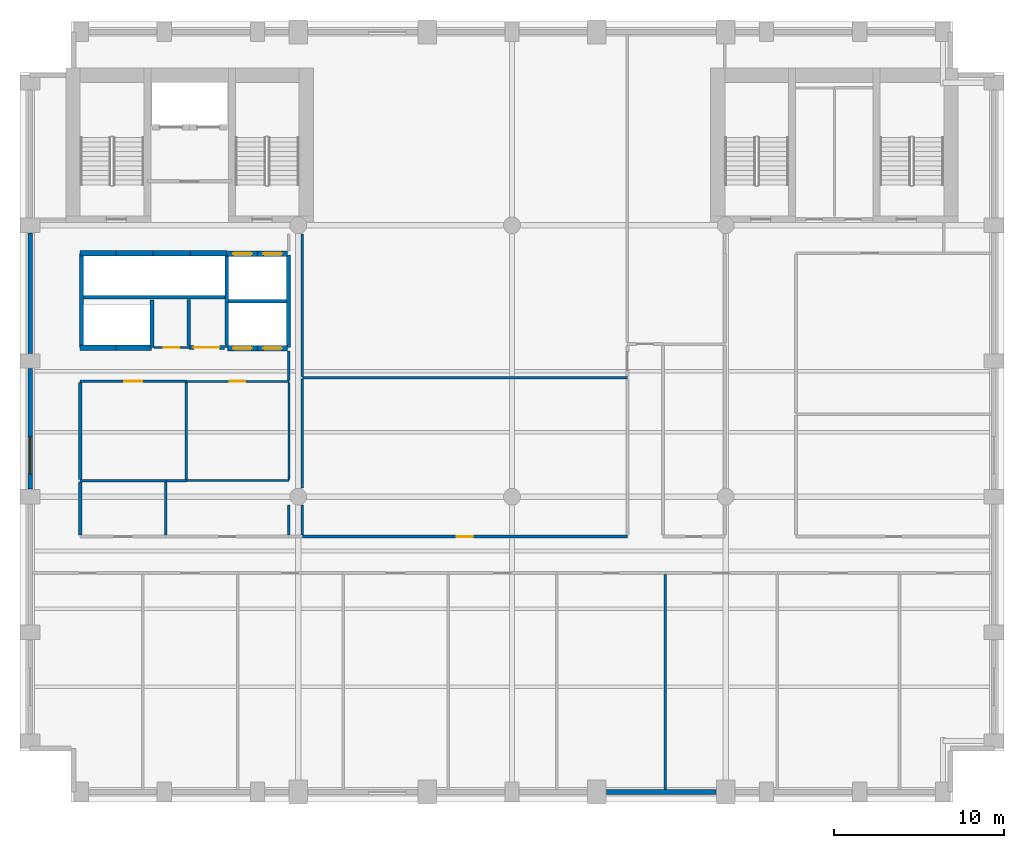
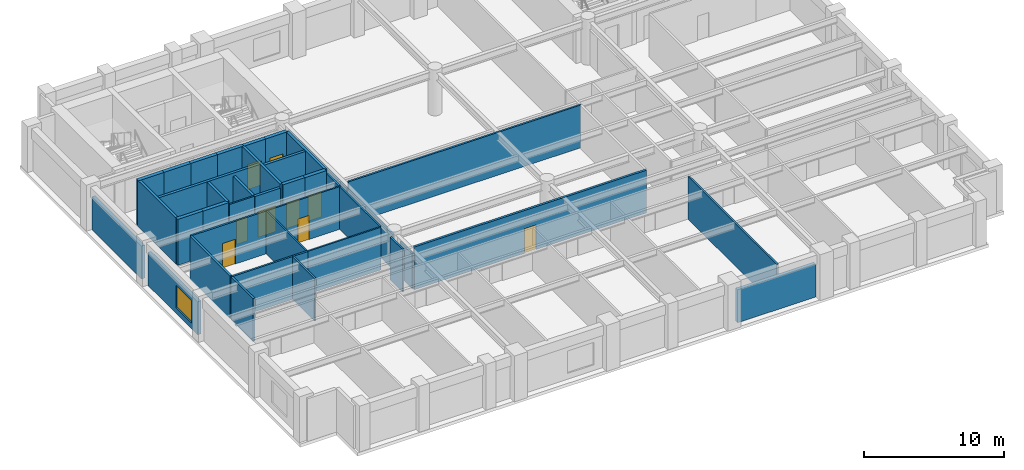
# One storey, part 3 of 8: 40 walls, 9 doors, 1 window, 10 openings.
"""IFC4 building model written with IfcOpenShell, lengths in metres."""

import ifcopenshell
import ifcopenshell.guid

model = None  # the IFC model being written
_history = None  # IfcOwnerHistory: only IFC2X3 demands one
_inside = {}  # id of a spatial element -> (the spatial element, [elements in it])
_under = {}  # id of a project, library or spatial element -> (it, [spatial elements below it])
_declared = {}  # id of a project -> (the project, [libraries it declares])
_typed = {}  # id of a type object -> (the type object, [elements of that type])
_made_of = {}  # id of a material, layer set ... -> (it, [elements and type objects made of it])


def new_model(schema):
    """Start an empty IFC model of exactly this schema.

    Asked for "IFC4X3", IfcOpenShell would pick the latest addendum, in which some entities
    have other attributes; the version numbers below select the first issue.
    IFC2X3 requires an IfcOwnerHistory on every rooted entity: one is made here for all.
    """
    global model, _history
    if schema == "IFC4X3":
        model = ifcopenshell.file(schema_version=(4, 3, 0, 0))
    else:
        model = ifcopenshell.file(schema=schema)
    _inside.clear()
    _under.clear()
    _declared.clear()
    _typed.clear()
    _made_of.clear()
    _history = None
    if model.schema == "IFC2X3":
        org = make("IfcOrganization", Name="unknown")
        user = make(
            "IfcPersonAndOrganization",
            ThePerson=make("IfcPerson", FamilyName="unknown"),
            TheOrganization=org,
        )
        app = make(
            "IfcApplication",
            ApplicationDeveloper=org,
            Version="unknown",
            ApplicationFullName="unknown",
            ApplicationIdentifier="unknown",
        )
        _history = make(
            "IfcOwnerHistory",
            OwningUser=user,
            OwningApplication=app,
            ChangeAction="ADDED",
            CreationDate=0,
        )
    return model


def make(cls, **values):
    """One entity of the class cls with the attributes given. An attribute that is None is left unset."""
    return model.create_entity(
        cls, **{name: value for name, value in values.items() if value is not None}
    )


def rooted(cls, **values):
    """An entity with a GlobalId (a new one), such as an element, a storey or a relation."""
    return make(cls, GlobalId=ifcopenshell.guid.new(), OwnerHistory=_history, **values)


def si_unit(unit_type, name, prefix=None):
    """IfcSIUnit, for example si_unit("LENGTHUNIT", "METRE", prefix="MILLI")."""
    return make("IfcSIUnit", UnitType=unit_type, Prefix=prefix, Name=name)


def assignment(units):
    """IfcUnitAssignment: the units of a project."""
    return None if units is None else make("IfcUnitAssignment", Units=units)


def point(xyz):
    """IfcCartesianPoint."""
    return None if xyz is None else make("IfcCartesianPoint", Coordinates=xyz)


def direction(xyz):
    """IfcDirection."""
    return None if xyz is None else make("IfcDirection", DirectionRatios=xyz)


def frame(location, z_axis=None, x_axis=None):
    """IfcAxis2Placement3D, a coordinate frame: its origin and axes. An axis left out is left unset."""
    return make(
        "IfcAxis2Placement3D",
        Location=point(location),
        Axis=direction(z_axis),
        RefDirection=direction(x_axis),
    )


def frame_2d(location, x_axis=None):
    """IfcAxis2Placement2D, a coordinate frame in the plane: its origin and x axis."""
    return make(
        "IfcAxis2Placement2D", Location=point(location), RefDirection=direction(x_axis)
    )


def origin():
    """The frame at (0, 0, 0) with its axes left unset."""
    return frame((0.0, 0.0, 0.0))


def place(relative_to, where):
    """IfcLocalPlacement: puts the frame where relative to a parent placement (None: the world)."""
    return make(
        "IfcLocalPlacement", PlacementRelTo=relative_to, RelativePlacement=where
    )


def context(
    kind, dimensions, precision=None, world=None, true_north=None, identifier=None
):
    """IfcGeometricRepresentationContext, for example the 3D "Model" context."""
    return make(
        "IfcGeometricRepresentationContext",
        ContextIdentifier=identifier,
        ContextType=kind,
        CoordinateSpaceDimension=dimensions,
        Precision=precision,
        WorldCoordinateSystem=world,
        TrueNorth=true_north,
    )


def subcontext(parent, identifier, kind, view, scale=None):
    """IfcGeometricRepresentationSubContext, for example "Body" below "Model"."""
    return make(
        "IfcGeometricRepresentationSubContext",
        ContextIdentifier=identifier,
        ContextType=kind,
        ParentContext=parent,
        TargetScale=scale,
        TargetView=view,
    )


def project(units=None, contexts=None):
    """IfcProject with its units and contexts."""
    return rooted(
        "IfcProject",
        Name="project",
        RepresentationContexts=contexts,
        UnitsInContext=assignment(units),
    )


def spatial(cls, under=None, at=None, **own):
    """A site, building, storey or space (cls), placed at a placement, below another one or the project."""
    s = rooted(cls, ObjectPlacement=at, **own)
    if under is not None:
        _under.setdefault(under.id(), (under, []))[1].append(s)
    return s


def profile(cls, at=None, kind="AREA", **sizes):
    """A parametric profile (cls). Its sizes go by their IFC names, for example OverallWidth=200.0."""
    return make(cls, ProfileType=kind, Position=at, **sizes)


def rectangle(**sizes):
    """IfcRectangleProfileDef."""
    return profile("IfcRectangleProfileDef", **sizes)


def extrude(swept, where, along, depth):
    """IfcExtrudedAreaSolid: the profile swept, set in the frame where, extruded along a direction by depth."""
    return make(
        "IfcExtrudedAreaSolid",
        SweptArea=swept,
        Position=where,
        ExtrudedDirection=direction(along),
        Depth=depth,
    )


def shape(context_of_items, identifier, shape_type, items):
    """IfcShapeRepresentation: the items that make up one representation, for example the "Body"."""
    return make(
        "IfcShapeRepresentation",
        ContextOfItems=context_of_items,
        RepresentationIdentifier=identifier,
        RepresentationType=shape_type,
        Items=items,
    )


def material(Name=None, Category=None):
    """IfcMaterial."""
    return make("IfcMaterial", Name=Name, Category=Category)


def layer(
    of_material, thickness, ventilated=None, Name=None, Category=None, Priority=None
):
    """IfcMaterialLayer: one layer of a wall or slab, of a material (None: an air gap)."""
    return make(
        "IfcMaterialLayer",
        Material=of_material,
        LayerThickness=thickness,
        IsVentilated=ventilated,
        Name=Name,
        Category=Category,
        Priority=Priority,
    )


def layer_set(layers, Name=None):
    """IfcMaterialLayerSet."""
    return make("IfcMaterialLayerSet", MaterialLayers=layers, LayerSetName=Name)


def made_of(thing, what):
    """Note that an element or type object is made of a material, layer set ...; save() writes the relation."""
    if what is not None:
        _made_of.setdefault(what.id(), (what, []))[1].append(thing)
    return thing


def type_object(cls, material=None, **own):
    """A type object (cls), such as IfcWallType, which elements share."""
    return made_of(rooted(cls, **own), material)


def element(
    cls,
    number,
    at=None,
    inside=None,
    cuts=None,
    type_object=None,
    material=None,
    context=None,
    identifier="Body",
    shape_type=None,
    held_by="IfcProductDefinitionShape",
    body=None,
    shapes=None,
    **own,
):
    """One element of the class cls, such as IfcWall. Its Tag is "e" and its number.

    at: its placement. inside: the storey or other place that contains it. cuts: it is an
    opening in that element (IfcRelVoidsElement). A single representation is given by context,
    identifier, shape_type and body (its items); several are given by shapes. held_by: the class
    of the entity that holds the representations. save() writes the other relations.
    """
    e = rooted(cls, Tag="e%d" % number, ObjectPlacement=at, **own)
    if body is not None:
        shapes = [shape(context, identifier, shape_type, body)]
    if shapes is not None:
        e.Representation = make(held_by, Representations=shapes)
    if inside is not None:
        _inside.setdefault(inside.id(), (inside, []))[1].append(e)
    if cuts is not None:
        rooted(
            "IfcRelVoidsElement", RelatingBuildingElement=cuts, RelatedOpeningElement=e
        )
    if type_object is not None:
        _typed.setdefault(type_object.id(), (type_object, []))[1].append(e)
    return made_of(e, material)


def fill(opening, filler):
    """IfcRelFillsElement: the door or window that sits in an opening."""
    return rooted(
        "IfcRelFillsElement",
        RelatingOpeningElement=opening,
        RelatedBuildingElement=filler,
    )


def aggregate(whole, parts):
    """IfcRelAggregates: a whole, such as a stair, and the parts it consists of."""
    return rooted("IfcRelAggregates", RelatingObject=whole, RelatedObjects=parts)


def save(model, path):
    """Write the relations noted so far, then the file.

    IfcRelAggregates (storeys below a building ...), IfcRelContainedInSpatialStructure (elements
    in a storey), IfcRelDefinesByType, IfcRelAssociatesMaterial and IfcRelDeclares: one each for
    every whole, place, type object, material and project.
    """
    for whole, parts in _under.values():
        aggregate(whole, parts)
    for where, things in _inside.values():
        rooted(
            "IfcRelContainedInSpatialStructure",
            RelatedElements=things,
            RelatingStructure=where,
        )
    for kind, things in _typed.values():
        rooted("IfcRelDefinesByType", RelatedObjects=things, RelatingType=kind)
    for what, things in _made_of.values():
        rooted("IfcRelAssociatesMaterial", RelatedObjects=things, RelatingMaterial=what)
    for by, libraries in _declared.values():
        rooted("IfcRelDeclares", RelatingContext=by, RelatedDefinitions=libraries)
    model.write(path)


model = new_model("IFC4")

# Units and contexts
model_context = context("Model", 3, precision=1e-05, world=origin(), true_north=direction((0.0, 1.0)))
body_context = subcontext(model_context, "Body", "Model", "MODEL_VIEW")
ifc_project = project(units=[si_unit("LENGTHUNIT", "METRE"), si_unit("AREAUNIT", "SQUARE_METRE"), si_unit("VOLUMEUNIT", "CUBIC_METRE"), si_unit("PLANEANGLEUNIT", "RADIAN"), si_unit("MASSUNIT", "GRAM", prefix="KILO")], contexts=[model_context])

# Site, building, storey
site_placement = place(None, origin())
site = spatial("IfcSite", under=ifc_project, at=site_placement, CompositionType="ELEMENT")
building_placement = place(site_placement, origin())
building = spatial("IfcBuilding", under=site, at=building_placement, Name="Sulina Concourse Tower", CompositionType="ELEMENT")
storey_placement = place(building_placement, frame((0.0, 0.0, 148.60009765625)))
storey = spatial("IfcBuildingStorey", under=building, at=storey_placement, Name="L36", CompositionType="ELEMENT", Elevation=148.60009765625)

# Walls
ifc_material_1 = material(Name="Concrete C50/60", Category="concrete")
ifc_layer_1 = layer(ifc_material_1, 0.219970703125)
ifc_layer_set_1 = layer_set([ifc_layer_1], Name="Concrete C50/60")
wall_type_1 = type_object("IfcWallType", Name="Core Lift Hoistway Divider Wall 220mm", PredefinedType="SOLIDWALL", material=ifc_layer_set_1)
wall_1_placement = place(storey_placement, frame((3.550048828125, 29.75, 0.0), z_axis=(0.0, 0.0, 1.0), x_axis=(1.0, 0.0, 0.0)))
element("IfcWall", 1, at=wall_1_placement, inside=storey, type_object=wall_type_1, Name="L36 shaft divider wall HW-LP3-S", PredefinedType="SOLIDWALL", context=body_context, shape_type="SweptSolid", body=[
    extrude(rectangle(XDim=8.64990234375, YDim=0.219970703125, at=frame_2d((4.324951171875, 0.0))), origin(), (0.0, 0.0, 1.0), 4.0),
])
wall_2_placement = place(storey_placement, frame((3.6298828125, 26.800048828125, 0.0), z_axis=(0.0, 0.0, 1.0), x_axis=(0.0, 1.0, 0.0)))
element("IfcWall", 2, at=wall_2_placement, inside=storey, type_object=wall_type_1, Name="L36 shaft divider wall HW-LP3-W", PredefinedType="SOLIDWALL", context=body_context, shape_type="SweptSolid", body=[
    extrude(rectangle(XDim=5.550048828125, YDim=0.219970703125, at=frame_2d((2.77490234375, 0.0))), origin(), (0.0, 0.0, 1.0), 4.0),
])
wall_3_placement = place(storey_placement, frame((7.780029296875, 26.800048828125, 0.0), z_axis=(0.0, 0.0, 1.0), x_axis=(0.0, 1.0, 0.0)))
element("IfcWall", 3, at=wall_3_placement, inside=storey, type_object=wall_type_1, Name="L36 shaft divider wall HW-EXP-E", PredefinedType="SOLIDWALL", context=body_context, shape_type="SweptSolid", body=[
    extrude(rectangle(XDim=2.800048828125, YDim=0.219970703125, at=frame_2d((1.39990234375, 0.0))), origin(), (0.0, 0.0, 1.0), 4.0),
])
for number, where, z_axis, x_axis, name in (
    (4, (12.179931640625, 26.800048828125, 0.0), (0.0, 0.0, 1.0), (0.0, 1.0, 0.0), "L36 shaft divider wall HW-LP2-W"),
    (5, (15.820068359375, 26.800048828125, 0.0), (0.0, 0.0, 1.0), (0.0, 1.0, 0.0), "L36 shaft divider wall HW-LP2-E"),
):
    element("IfcWall", number, at=place(storey_placement, frame(where, z_axis=z_axis, x_axis=x_axis)), inside=storey, type_object=wall_type_1, Name=name, PredefinedType="SOLIDWALL", context=body_context, shape_type="SweptSolid", body=[
        extrude(rectangle(XDim=5.449951171875, YDim=0.219970703125, at=frame_2d((2.72509765625, 0.0))), origin(), (0.0, 0.0, 1.0), 4.0),
    ])
wall_4_placement = place(storey_placement, frame((12.300048828125, 29.52001953125, 0.0), z_axis=(0.0, 0.0, 1.0), x_axis=(1.0, 0.0, 0.0)))
element("IfcWall", 6, at=wall_4_placement, inside=storey, type_object=wall_type_1, Name="L36 shaft divider wall HW-LP2-M", PredefinedType="SOLIDWALL", context=body_context, shape_type="SweptSolid", body=[
    extrude(rectangle(XDim=3.39990234375, YDim=0.219970703125, at=frame_2d((1.699951171875, 0.0))), origin(), (0.0, 0.0, 1.0), 4.0),
])

# Wall, opening, door
ifc_material_2 = material(Name="Concrete C50/60", Category="concrete")
ifc_layer_2 = layer(ifc_material_2, 0.300048828125)
ifc_layer_set_2 = layer_set([ifc_layer_2], Name="Concrete C50/60")
wall_type_2 = type_object("IfcWallType", Name="Core Lift Hoistway Wall 300mm", PredefinedType="SOLIDWALL", material=ifc_layer_set_2)
wall_5_placement = place(storey_placement, frame((14.0, 26.75, 0.0), z_axis=(0.0, 0.0, 1.0), x_axis=(-1.0, 0.0, 0.0)))
wall_5 = element("IfcWall", 7, at=wall_5_placement, inside=storey, type_object=wall_type_2, Name="L36 hoistway enclosure wall LP-05", PredefinedType="SOLIDWALL", context=body_context, shape_type="SweptSolid", body=[
    extrude(rectangle(XDim=1.780029296875, YDim=0.300048828125, at=frame_2d((0.89013671875, 0.0))), origin(), (0.0, 0.0, 1.0), 4.0),
])
opening_1_placement = place(wall_5_placement, frame((0.340087890625, 0.0, 0.0)))
opening_1 = element("IfcOpeningElement", 8, at=opening_1_placement, cuts=wall_5, Name="Opening LD-01", PredefinedType="OPENING", context=body_context, shape_type="SweptSolid", body=[
    extrude(rectangle(XDim=1.10009765625, YDim=2.199951171875, at=frame_2d((0.550048828125, 1.10009765625))), frame((0.0, 0.159912109375, 0.0), z_axis=(0.0, -1.0, 0.0), x_axis=(1.0, 0.0, 0.0)), (0.0, 0.0, 1.0), 0.320068359375),
])
ifc_material_3 = material(Name="Stainless steel lift landing door", Category="steel")
ifc_layer_3 = layer(ifc_material_3, 0.050048828125)
ifc_layer_set_3 = layer_set([ifc_layer_3], Name="Stainless steel lift landing door")
door_type_1 = type_object("IfcDoorType", Name="Passenger Lift Sliding Landing Door 1100x2200", OperationType="SLIDING_TO_LEFT", PredefinedType="DOOR", material=ifc_layer_set_3)
door_1_placement = place(opening_1_placement, origin())
door_1 = element("IfcDoor", 9, at=door_1_placement, inside=storey, type_object=door_type_1, Name="L36 lift landing sliding door LP-05", OperationType="SLIDING_TO_LEFT", OverallHeight=2.199951171875, OverallWidth=1.10009765625, PredefinedType="DOOR", context=body_context, shape_type="SweptSolid", body=[
    extrude(rectangle(XDim=1.10009765625, YDim=2.199951171875, at=frame_2d((0.550048828125, 1.10009765625))), frame((0.0, 0.02490234375, 0.0), z_axis=(0.0, -1.0, 0.0), x_axis=(1.0, 0.0, 0.0)), (0.0, 0.0, 1.0), 0.050048828125),
])
fill(opening_1, door_1)

wall_6_placement = place(storey_placement, frame((15.780029296875, 26.75, 0.0), z_axis=(0.0, 0.0, 1.0), x_axis=(-1.0, 0.0, 0.0)))
wall_6 = element("IfcWall", 10, at=wall_6_placement, inside=storey, type_object=wall_type_2, Name="L36 hoistway enclosure wall LP-06", PredefinedType="SOLIDWALL", context=body_context, shape_type="SweptSolid", body=[
    extrude(rectangle(XDim=1.780029296875, YDim=0.300048828125, at=frame_2d((0.89013671875, 0.0))), origin(), (0.0, 0.0, 1.0), 4.0),
])
opening_2_placement = place(wall_6_placement, frame((0.340087890625, 0.0, 0.0)))
opening_2 = element("IfcOpeningElement", 11, at=opening_2_placement, cuts=wall_6, Name="Opening LD-01", PredefinedType="OPENING", context=body_context, shape_type="SweptSolid", body=[
    extrude(rectangle(XDim=1.10009765625, YDim=2.199951171875, at=frame_2d((0.550048828125, 1.10009765625))), frame((0.0, 0.159912109375, 0.0), z_axis=(0.0, -1.0, 0.0), x_axis=(1.0, 0.0, 0.0)), (0.0, 0.0, 1.0), 0.320068359375),
])
door_2_placement = place(opening_2_placement, origin())
door_2 = element("IfcDoor", 12, at=door_2_placement, inside=storey, type_object=door_type_1, Name="L36 lift landing sliding door LP-06", OperationType="SLIDING_TO_RIGHT", OverallHeight=2.199951171875, OverallWidth=1.10009765625, PredefinedType="DOOR", context=body_context, shape_type="SweptSolid", body=[
    extrude(rectangle(XDim=1.10009765625, YDim=2.199951171875, at=frame_2d((0.550048828125, 1.10009765625))), frame((0.0, 0.02490234375, 0.0), z_axis=(0.0, -1.0, 0.0), x_axis=(1.0, 0.0, 0.0)), (0.0, 0.0, 1.0), 0.050048828125),
])
fill(opening_2, door_2)

wall_7_placement = place(storey_placement, frame((12.219970703125, 32.320068359375, 0.0), z_axis=(0.0, 0.0, 1.0), x_axis=(1.0, 0.0, 0.0)))
wall_7 = element("IfcWall", 13, at=wall_7_placement, inside=storey, type_object=wall_type_2, Name="L36 hoistway enclosure wall LP-07", PredefinedType="SOLIDWALL", context=body_context, shape_type="SweptSolid", body=[
    extrude(rectangle(XDim=1.780029296875, YDim=0.300048828125, at=frame_2d((0.89013671875, 0.0))), origin(), (0.0, 0.0, 1.0), 4.0),
])
opening_3_placement = place(wall_7_placement, frame((0.340087890625, 0.0, 0.0)))
opening_3 = element("IfcOpeningElement", 14, at=opening_3_placement, cuts=wall_7, Name="Opening LD-01", PredefinedType="OPENING", context=body_context, shape_type="SweptSolid", body=[
    extrude(rectangle(XDim=1.10009765625, YDim=2.199951171875, at=frame_2d((0.550048828125, 1.10009765625))), frame((0.0, 0.159912109375, 0.0), z_axis=(0.0, -1.0, 0.0), x_axis=(1.0, 0.0, 0.0)), (0.0, 0.0, 1.0), 0.320068359375),
])
door_3_placement = place(opening_3_placement, origin())
door_3 = element("IfcDoor", 15, at=door_3_placement, inside=storey, type_object=door_type_1, Name="L36 lift landing sliding door LP-07", OperationType="SLIDING_TO_LEFT", OverallHeight=2.199951171875, OverallWidth=1.10009765625, PredefinedType="DOOR", context=body_context, shape_type="SweptSolid", body=[
    extrude(rectangle(XDim=1.10009765625, YDim=2.199951171875, at=frame_2d((0.550048828125, 1.10009765625))), frame((0.0, 0.02490234375, 0.0), z_axis=(0.0, -1.0, 0.0), x_axis=(1.0, 0.0, 0.0)), (0.0, 0.0, 1.0), 0.050048828125),
])
fill(opening_3, door_3)

wall_8_placement = place(storey_placement, frame((14.0, 32.320068359375, 0.0), z_axis=(0.0, 0.0, 1.0), x_axis=(1.0, 0.0, 0.0)))
wall_8 = element("IfcWall", 16, at=wall_8_placement, inside=storey, type_object=wall_type_2, Name="L36 hoistway enclosure wall LP-08", PredefinedType="SOLIDWALL", context=body_context, shape_type="SweptSolid", body=[
    extrude(rectangle(XDim=1.780029296875, YDim=0.300048828125, at=frame_2d((0.89013671875, 0.0))), origin(), (0.0, 0.0, 1.0), 4.0),
])
opening_4_placement = place(wall_8_placement, frame((0.340087890625, 0.0, 0.0)))
opening_4 = element("IfcOpeningElement", 17, at=opening_4_placement, cuts=wall_8, Name="Opening LD-01", PredefinedType="OPENING", context=body_context, shape_type="SweptSolid", body=[
    extrude(rectangle(XDim=1.10009765625, YDim=2.199951171875, at=frame_2d((0.550048828125, 1.10009765625))), frame((0.0, 0.159912109375, 0.0), z_axis=(0.0, -1.0, 0.0), x_axis=(1.0, 0.0, 0.0)), (0.0, 0.0, 1.0), 0.320068359375),
])
door_4_placement = place(opening_4_placement, origin())
door_4 = element("IfcDoor", 18, at=door_4_placement, inside=storey, type_object=door_type_1, Name="L36 lift landing sliding door LP-08", OperationType="SLIDING_TO_RIGHT", OverallHeight=2.199951171875, OverallWidth=1.10009765625, PredefinedType="DOOR", context=body_context, shape_type="SweptSolid", body=[
    extrude(rectangle(XDim=1.10009765625, YDim=2.199951171875, at=frame_2d((0.550048828125, 1.10009765625))), frame((0.0, 0.02490234375, 0.0), z_axis=(0.0, -1.0, 0.0), x_axis=(1.0, 0.0, 0.0)), (0.0, 0.0, 1.0), 0.050048828125),
])
fill(opening_4, door_4)

# Walls
wall_9_placement = place(storey_placement, frame((3.550048828125, 32.35009765625, 0.0), z_axis=(0.0, 0.0, 1.0), x_axis=(1.0, 0.0, 0.0)))
element("IfcWall", 19, at=wall_9_placement, inside=storey, type_object=wall_type_2, Name="L36 hoistway enclosure wall LP-09", PredefinedType="SOLIDWALL", context=body_context, shape_type="SweptSolid", body=[
    extrude(rectangle(XDim=2.099853515625, YDim=0.300048828125, at=frame_2d((1.0498046875, 0.0))), origin(), (0.0, 0.0, 1.0), 4.0),
])
wall_10_placement = place(storey_placement, frame((5.64990234375, 32.35009765625, 0.0), z_axis=(0.0, 0.0, 1.0), x_axis=(1.0, 0.0, 0.0)))
element("IfcWall", 20, at=wall_10_placement, inside=storey, type_object=wall_type_2, Name="L36 hoistway enclosure wall LP-10", PredefinedType="SOLIDWALL", context=body_context, shape_type="SweptSolid", body=[
    extrude(rectangle(XDim=2.2001953125, YDim=0.300048828125, at=frame_2d((1.10009765625, 0.0))), origin(), (0.0, 0.0, 1.0), 4.0),
])
wall_11_placement = place(storey_placement, frame((7.85009765625, 32.35009765625, 0.0), z_axis=(0.0, 0.0, 1.0), x_axis=(1.0, 0.0, 0.0)))
element("IfcWall", 21, at=wall_11_placement, inside=storey, type_object=wall_type_2, Name="L36 hoistway enclosure wall LP-11", PredefinedType="SOLIDWALL", context=body_context, shape_type="SweptSolid", body=[
    extrude(rectangle(XDim=2.199951171875, YDim=0.300048828125, at=frame_2d((1.10009765625, 0.0))), origin(), (0.0, 0.0, 1.0), 4.0),
])
wall_12_placement = place(storey_placement, frame((10.050048828125, 32.35009765625, 0.0), z_axis=(0.0, 0.0, 1.0), x_axis=(1.0, 0.0, 0.0)))
element("IfcWall", 22, at=wall_12_placement, inside=storey, type_object=wall_type_2, Name="L36 hoistway enclosure wall LP-12", PredefinedType="SOLIDWALL", context=body_context, shape_type="SweptSolid", body=[
    extrude(rectangle(XDim=2.14990234375, YDim=0.300048828125, at=frame_2d((1.074951171875, 0.0))), origin(), (0.0, 0.0, 1.0), 4.0),
])
wall_13_placement = place(storey_placement, frame((5.64990234375, 26.780029296875, 0.0), z_axis=(0.0, 0.0, 1.0), x_axis=(-1.0, 0.0, 0.0)))
element("IfcWall", 23, at=wall_13_placement, inside=storey, type_object=wall_type_2, Name="L36 hoistway enclosure wall EXP-1", PredefinedType="SOLIDWALL", context=body_context, shape_type="SweptSolid", body=[
    extrude(rectangle(XDim=2.099853515625, YDim=0.300048828125, at=frame_2d((1.0498046875, 0.0))), origin(), (0.0, 0.0, 1.0), 4.0),
])
wall_14_placement = place(storey_placement, frame((7.75, 26.780029296875, 0.0), z_axis=(0.0, 0.0, 1.0), x_axis=(-1.0, 0.0, 0.0)))
element("IfcWall", 24, at=wall_14_placement, inside=storey, type_object=wall_type_2, Name="L36 hoistway enclosure wall EXP-2", PredefinedType="SOLIDWALL", context=body_context, shape_type="SweptSolid", body=[
    extrude(rectangle(XDim=2.10009765625, YDim=0.300048828125, at=frame_2d((1.050048828125, 0.0))), origin(), (0.0, 0.0, 1.0), 4.0),
])

# Wall, opening, door
ifc_material_4 = material(Name="Gypsum board on steel stud", Category="steel")
ifc_layer_4 = layer(ifc_material_4, 0.219970703125)
ifc_layer_set_4 = layer_set([ifc_layer_4], Name="Gypsum board on steel stud")
wall_type_3 = type_object("IfcWallType", Name="Fire-Rated Lobby & Compartment Wall 220mm", PredefinedType="PARTITIONING", material=ifc_layer_set_4)
wall_15_placement = place(storey_placement, frame((9.949951171875, 26.800048828125, 0.0), z_axis=(0.0, 0.0, 1.0), x_axis=(1.0, 0.0, 0.0)))
wall_15 = element("IfcWall", 25, at=wall_15_placement, inside=storey, type_object=wall_type_3, Name="L36 interior partition 024", PredefinedType="PARTITIONING", context=body_context, shape_type="SweptSolid", body=[
    extrude(rectangle(XDim=2.10009765625, YDim=0.219970703125, at=frame_2d((1.050048828125, 0.0))), origin(), (0.0, 0.0, 1.0), 3.724853515625),
])
opening_5_placement = place(wall_15_placement, frame((0.300048828125, 0.0, 0.0)))
opening_5 = element("IfcOpeningElement", 26, at=opening_5_placement, cuts=wall_15, Name="Opening DR-80", PredefinedType="OPENING", context=body_context, shape_type="SweptSolid", body=[
    extrude(rectangle(XDim=1.5, YDim=2.25, at=frame_2d((0.75, 1.125))), frame((0.0, 0.119873046875, 0.0), z_axis=(0.0, -1.0, 0.0), x_axis=(1.0, 0.0, 0.0)), (0.0, 0.0, 1.0), 0.239990234375),
])
ifc_material_5 = material(Name="Galvanised steel acoustic fire leaf", Category="steel")
ifc_layer_5 = layer(ifc_material_5, 0.054931640625)
ifc_layer_set_5 = layer_set([ifc_layer_5], Name="Galvanised steel acoustic fire leaf")
door_type_2 = type_object("IfcDoorType", Name="Mechanical Plant Double Fire Door 1500x2250", OperationType="DOUBLE_DOOR_SINGLE_SWING", PredefinedType="DOOR", material=ifc_layer_set_5)
door_5_placement = place(opening_5_placement, origin())
door_5 = element("IfcDoor", 27, at=door_5_placement, inside=storey, type_object=door_type_2, Name="L36 interior door L36-IT-IDF", OperationType="DOUBLE_DOOR_SINGLE_SWING", OverallHeight=2.25, OverallWidth=1.5, PredefinedType="DOOR", context=body_context, shape_type="SweptSolid", body=[
    extrude(rectangle(XDim=1.5, YDim=2.25, at=frame_2d((0.75, 1.125))), frame((0.0, 0.02490234375, 0.0), z_axis=(0.0, -1.0, 0.0), x_axis=(1.0, 0.0, 0.0)), (0.0, 0.0, 1.0), 0.050048828125),
])
fill(opening_5, door_5)

# Walls
wall_16_placement = place(storey_placement, frame((9.949951171875, 26.909912109375, 0.0), z_axis=(0.0, 0.0, 1.0), x_axis=(0.0, 1.0, 0.0)))
element("IfcWall", 28, at=wall_16_placement, inside=storey, type_object=wall_type_3, Name="L36 interior partition 037", PredefinedType="PARTITIONING", context=body_context, shape_type="SweptSolid", body=[
    extrude(rectangle(XDim=2.72998046875, YDim=0.219970703125, at=frame_2d((1.364990234375, 0.0))), origin(), (0.0, 0.0, 1.0), 3.724853515625),
])
ifc_material_6 = material(Name="Gypsum board on steel stud", Category="steel")
ifc_layer_6 = layer(ifc_material_6, 0.14990234375)
ifc_layer_set_6 = layer_set([ifc_layer_6], Name="Gypsum board on steel stud")
wall_type_4 = type_object("IfcWallType", Name="Inter-Tenancy Acoustic Partition 150mm", PredefinedType="PARTITIONING", material=ifc_layer_set_6)
wall_17_placement = place(storey_placement, frame((3.550048828125, 18.949951171875, 0.0), z_axis=(0.0, 0.0, 1.0), x_axis=(1.0, 0.0, 0.0)))
element("IfcWall", 29, at=wall_17_placement, inside=storey, type_object=wall_type_4, Name="L36 interior partition 016", PredefinedType="PARTITIONING", context=body_context, shape_type="SweptSolid", body=[
    extrude(rectangle(XDim=5.050048828125, YDim=0.14990234375, at=frame_2d((2.52490234375, 0.0))), origin(), (0.0, 0.0, 1.0), 3.724853515625),
])
wall_18_placement = place(storey_placement, frame((8.60009765625, 18.949951171875, 0.0), z_axis=(0.0, 0.0, 1.0), x_axis=(1.0, 0.0, 0.0)))
element("IfcWall", 30, at=wall_18_placement, inside=storey, type_object=wall_type_4, Name="L36 interior partition 017", PredefinedType="PARTITIONING", context=body_context, shape_type="SweptSolid", body=[
    extrude(rectangle(XDim=1.199951171875, YDim=0.14990234375, at=frame_2d((0.60009765625, 0.0))), origin(), (0.0, 0.0, 1.0), 3.724853515625),
])

# Wall, opening, door
wall_19_placement = place(storey_placement, frame((3.550048828125, 24.800048828125, 0.0), z_axis=(0.0, 0.0, 1.0), x_axis=(1.0, 0.0, 0.0)))
wall_19 = element("IfcWall", 31, at=wall_19_placement, inside=storey, type_object=wall_type_4, Name="L36 interior partition 020", PredefinedType="PARTITIONING", context=body_context, shape_type="SweptSolid", body=[
    extrude(rectangle(XDim=6.25, YDim=0.14990234375, at=frame_2d((3.125, 0.0))), origin(), (0.0, 0.0, 1.0), 3.724853515625),
])
opening_6_placement = place(wall_19_placement, frame((2.60009765625, 0.0, 0.0)))
opening_6 = element("IfcOpeningElement", 32, at=opening_6_placement, cuts=wall_19, Name="Opening DR-37", PredefinedType="OPENING", context=body_context, shape_type="SweptSolid", body=[
    extrude(rectangle(XDim=1.050048828125, YDim=2.14990234375, at=frame_2d((0.52490234375, 1.074951171875))), frame((0.0, 0.0849609375, 0.0), z_axis=(0.0, -1.0, 0.0), x_axis=(1.0, 0.0, 0.0)), (0.0, 0.0, 1.0), 0.169921875),
])
ifc_material_7 = material(Name="Oak-veneered fire door leaf")
ifc_layer_7 = layer(ifc_material_7, 0.050048828125)
ifc_layer_set_7 = layer_set([ifc_layer_7], Name="Oak-veneered fire door leaf")
door_type_3 = type_object("IfcDoorType", Name="Tenant Suite Entrance Fire Door 1050x2150", OperationType="NOTDEFINED", PredefinedType="DOOR", material=ifc_layer_set_7)
door_6_placement = place(opening_6_placement, origin())
door_6 = element("IfcDoor", 33, at=door_6_placement, inside=storey, type_object=door_type_3, Name="L36 interior door L36-LR-MRG1", OperationType="SINGLE_SWING_RIGHT", OverallHeight=2.14990234375, OverallWidth=1.050048828125, PredefinedType="DOOR", context=body_context, shape_type="SweptSolid", body=[
    extrude(rectangle(XDim=1.050048828125, YDim=2.14990234375, at=frame_2d((0.52490234375, 1.074951171875))), frame((0.0, 0.02490234375, 0.0), z_axis=(0.0, -1.0, 0.0), x_axis=(1.0, 0.0, 0.0)), (0.0, 0.0, 1.0), 0.050048828125),
])
fill(opening_6, door_6)

# Walls
wall_20_placement = place(storey_placement, frame((16.64990234375, 25.0, 0.0), z_axis=(0.0, 0.0, 1.0), x_axis=(1.0, 0.0, 0.0)))
element("IfcWall", 34, at=wall_20_placement, inside=storey, type_object=wall_type_4, Name="L36 interior partition 022", PredefinedType="PARTITIONING", context=body_context, shape_type="SweptSolid", body=[
    extrude(rectangle(XDim=19.150146484375, YDim=0.14990234375, at=frame_2d((9.5751953125, 0.0))), origin(), (0.0, 0.0, 1.0), 3.724853515625),
])
wall_21_placement = place(storey_placement, frame((8.60009765625, 15.739990234375, 0.0), z_axis=(0.0, 0.0, 1.0), x_axis=(0.0, 1.0, 0.0)))
element("IfcWall", 35, at=wall_21_placement, inside=storey, type_object=wall_type_4, Name="L36 interior partition 035", PredefinedType="PARTITIONING", context=body_context, shape_type="SweptSolid", body=[
    extrude(rectangle(XDim=3.135009765625, YDim=0.14990234375, at=frame_2d((1.5673828125, 0.0))), origin(), (0.0, 0.0, 1.0), 3.724853515625),
])
wall_22_placement = place(storey_placement, frame((15.85009765625, 15.739990234375, 0.0), z_axis=(0.0, 0.0, 1.0), x_axis=(0.0, 1.0, 0.0)))
element("IfcWall", 36, at=wall_22_placement, inside=storey, type_object=wall_type_4, Name="L36 interior partition 039", PredefinedType="PARTITIONING", context=body_context, shape_type="SweptSolid", body=[
    extrude(rectangle(XDim=1.760009765625, YDim=0.14990234375, at=frame_2d((0.8798828125, 0.0))), origin(), (0.0, 0.0, 1.0), 3.724853515625),
])
wall_23_placement = place(storey_placement, frame((15.85009765625, 24.862548828125, 0.0), z_axis=(0.0, 0.0, 1.0), x_axis=(0.0, 1.0, 0.0)))
element("IfcWall", 37, at=wall_23_placement, inside=storey, type_object=wall_type_4, Name="L36 interior partition 041", PredefinedType="PARTITIONING", context=body_context, shape_type="SweptSolid", body=[
    extrude(rectangle(XDim=1.737548828125, YDim=0.14990234375, at=frame_2d((0.86865234375, 0.0))), origin(), (0.0, 0.0, 1.0), 3.724853515625),
])
wall_24_placement = place(storey_placement, frame((16.64990234375, 15.739990234375, 0.0), z_axis=(0.0, 0.0, 1.0), x_axis=(0.0, 1.0, 0.0)))
element("IfcWall", 38, at=wall_24_placement, inside=storey, type_object=wall_type_4, Name="L36 interior partition 043", PredefinedType="PARTITIONING", context=body_context, shape_type="SweptSolid", body=[
    extrude(rectangle(XDim=1.760009765625, YDim=0.14990234375, at=frame_2d((0.8798828125, 0.0))), origin(), (0.0, 0.0, 1.0), 3.06982421875),
])
wall_25_placement = place(storey_placement, frame((16.64990234375, 18.5, 0.0), z_axis=(0.0, 0.0, 1.0), x_axis=(0.0, 1.0, 0.0)))
element("IfcWall", 39, at=wall_25_placement, inside=storey, type_object=wall_type_4, Name="L36 interior partition 044", PredefinedType="PARTITIONING", context=body_context, shape_type="SweptSolid", body=[
    extrude(rectangle(XDim=6.425048828125, YDim=0.14990234375, at=frame_2d((3.21240234375, 0.0))), origin(), (0.0, 0.0, 1.0), 3.06982421875),
])
wall_26_placement = place(storey_placement, frame((16.64990234375, 25.074951171875, 0.0), z_axis=(0.0, 0.0, 1.0), x_axis=(0.0, 1.0, 0.0)))
element("IfcWall", 40, at=wall_26_placement, inside=storey, type_object=wall_type_4, Name="L36 interior partition 045", PredefinedType="PARTITIONING", context=body_context, shape_type="SweptSolid", body=[
    extrude(rectangle(XDim=8.425048828125, YDim=0.14990234375, at=frame_2d((4.21240234375, 0.0))), origin(), (0.0, 0.0, 1.0), 3.06982421875),
])
wall_27_placement = place(storey_placement, frame((38.0400390625, 0.739990234375, 0.0), z_axis=(0.0, 0.0, 1.0), x_axis=(0.0, 1.0, 0.0)))
element("IfcWall", 41, at=wall_27_placement, inside=storey, type_object=wall_type_4, Name="L36 interior partition 053", PredefinedType="PARTITIONING", context=body_context, shape_type="SweptSolid", body=[
    extrude(rectangle(XDim=12.669921875, YDim=0.14990234375, at=frame_2d((6.3349609375, 0.0))), origin(), (0.0, 0.0, 1.0), 3.724853515625),
])

# Wall, opening, door
ifc_material_8 = material(Name="Gypsum board on steel stud", Category="steel")
ifc_layer_8 = layer(ifc_material_8, 0.179931640625)
ifc_layer_set_8 = layer_set([ifc_layer_8], Name="Gypsum board on steel stud")
wall_type_5 = type_object("IfcWallType", Name="Protected Corridor & Riser Partition 180mm", PredefinedType="PARTITIONING", material=ifc_layer_set_8)
wall_28_placement = place(storey_placement, frame((16.64990234375, 15.64990234375, 0.0), z_axis=(0.0, 0.0, 1.0), x_axis=(1.0, 0.0, 0.0)))
wall_28 = element("IfcWall", 42, at=wall_28_placement, inside=storey, type_object=wall_type_5, Name="L36 interior partition 013", PredefinedType="PARTITIONING", context=body_context, shape_type="SweptSolid", body=[
    extrude(rectangle(XDim=19.150146484375, YDim=0.179931640625, at=frame_2d((9.5751953125, 0.0))), origin(), (0.0, 0.0, 1.0), 3.724853515625),
])
opening_7_placement = place(wall_28_placement, frame((9.10009765625, 0.0, 0.0)))
opening_7 = element("IfcOpeningElement", 43, at=opening_7_placement, cuts=wall_28, Name="Opening DR-19", PredefinedType="OPENING", context=body_context, shape_type="SweptSolid", body=[
    extrude(rectangle(XDim=0.949951171875, YDim=2.14990234375, at=frame_2d((0.47509765625, 1.074951171875))), frame((0.0, 0.099853515625, 0.0), z_axis=(0.0, -1.0, 0.0), x_axis=(1.0, 0.0, 0.0)), (0.0, 0.0, 1.0), 0.199951171875),
])
ifc_material_9 = material(Name="Oak-veneered acoustic timber leaf", Category="wood")
ifc_layer_9 = layer(ifc_material_9, 0.050048828125)
ifc_layer_set_9 = layer_set([ifc_layer_9], Name="Oak-veneered acoustic timber leaf")
door_type_4 = type_object("IfcDoorType", Name="Cellular Office & Meeting Door 950x2150", OperationType="NOTDEFINED", PredefinedType="DOOR", material=ifc_layer_set_9)
door_7_placement = place(opening_7_placement, origin())
door_7 = element("IfcDoor", 44, at=door_7_placement, inside=storey, type_object=door_type_4, Name="L36 interior door L36-NC1", OperationType="SINGLE_SWING_LEFT", OverallHeight=2.14990234375, OverallWidth=0.949951171875, PredefinedType="DOOR", context=body_context, shape_type="SweptSolid", body=[
    extrude(rectangle(XDim=0.949951171875, YDim=2.14990234375, at=frame_2d((0.47509765625, 1.074951171875))), frame((0.0, 0.02490234375, 0.0), z_axis=(0.0, -1.0, 0.0), x_axis=(1.0, 0.0, 0.0)), (0.0, 0.0, 1.0), 0.050048828125),
])
fill(opening_7, door_7)

# Walls
wall_29_placement = place(storey_placement, frame((3.550048828125, 15.739990234375, 0.0), z_axis=(0.0, 0.0, 1.0), x_axis=(0.0, 1.0, 0.0)))
element("IfcWall", 45, at=wall_29_placement, inside=storey, type_object=wall_type_5, Name="L36 interior partition 032", PredefinedType="PARTITIONING", context=body_context, shape_type="SweptSolid", body=[
    extrude(rectangle(XDim=3.135009765625, YDim=0.179931640625, at=frame_2d((1.5673828125, 0.0))), origin(), (0.0, 0.0, 1.0), 3.724853515625),
])
wall_30_placement = place(storey_placement, frame((3.550048828125, 19.02490234375, 0.0), z_axis=(0.0, 0.0, 1.0), x_axis=(0.0, 1.0, 0.0)))
element("IfcWall", 46, at=wall_30_placement, inside=storey, type_object=wall_type_5, Name="L36 interior partition 033", PredefinedType="PARTITIONING", context=body_context, shape_type="SweptSolid", body=[
    extrude(rectangle(XDim=5.7001953125, YDim=0.179931640625, at=frame_2d((2.85009765625, 0.0))), origin(), (0.0, 0.0, 1.0), 3.724853515625),
])
ifc_material_10 = material(Name="Precast concrete C50/60", Category="concrete")
ifc_layer_10 = layer(ifc_material_10, 0.280029296875)
ifc_layer_set_10 = layer_set([ifc_layer_10], Name="Precast concrete C50/60")
wall_type_6 = type_object("IfcWallType", Name="Typical Precast Masonry-Frame Facade Wall 280mm", PredefinedType="SOLIDWALL", material=ifc_layer_set_10)
wall_31_placement = place(storey_placement, frame((41.030029296875, 0.60009765625, 0.0), z_axis=(0.0, 0.0, 1.0), x_axis=(-1.0, 0.0, 0.0)))
element("IfcWall", 47, at=wall_31_placement, inside=storey, type_object=wall_type_6, Name="L36 exterior precast wall S7", PredefinedType="SOLIDWALL", context=body_context, shape_type="SweptSolid", body=[
    extrude(rectangle(XDim=6.4599609375, YDim=0.280029296875, at=frame_2d((3.22998046875, 0.0))), origin(), (0.0, 0.0, 1.0), 2.875),
])

# Wall, opening, window
wall_32_placement = place(storey_placement, frame((0.60009765625, 18.445068359375, 0.0), z_axis=(0.0, 0.0, 1.0), x_axis=(0.0, 1.0, 0.0)))
wall_32 = element("IfcWall", 48, at=wall_32_placement, inside=storey, type_object=wall_type_6, Name="L36 exterior precast wall W3", PredefinedType="SOLIDWALL", context=body_context, shape_type="SweptSolid", body=[
    extrude(rectangle(XDim=7.10986328125, YDim=0.280029296875, at=frame_2d((3.554931640625, 0.0))), origin(), (0.0, 0.0, 1.0), 2.875),
])
opening_8_placement = place(wall_32_placement, frame((0.9033203125, 0.0, 0.5)))
opening_8 = element("IfcOpeningElement", 49, at=opening_8_placement, cuts=wall_32, Name="Opening WN-76", PredefinedType="OPENING", context=body_context, shape_type="SweptSolid", body=[
    extrude(rectangle(XDim=2.199951171875, YDim=1.949951171875, at=frame_2d((1.10009765625, 0.97509765625))), frame((0.0, 0.14990234375, 0.0), z_axis=(0.0, -1.0, 0.0), x_axis=(1.0, 0.0, 0.0)), (0.0, 0.0, 1.0), 0.300048828125),
])
ifc_material_11 = material(Name="Low-E solar double glazing in bronze aluminium", Category="aluminium")
window_type = type_object("IfcWindowType", Name="Recessed Spandrel Window 2200x1950", PartitioningType="DOUBLE_PANEL_VERTICAL", PredefinedType="WINDOW", material=ifc_material_11)
window_placement = place(opening_8_placement, origin())
window = element("IfcWindow", 50, at=window_placement, inside=storey, type_object=window_type, Name="L36 punched window W3-1", OverallHeight=1.949951171875, OverallWidth=2.199951171875, PartitioningType="SINGLE_PANEL", PredefinedType="WINDOW", context=body_context, shape_type="SweptSolid", body=[
    extrude(rectangle(XDim=2.199951171875, YDim=1.949951171875, at=frame_2d((1.10009765625, 0.97509765625))), frame((0.0, 0.030029296875, 0.0), z_axis=(0.0, -1.0, 0.0), x_axis=(1.0, 0.0, 0.0)), (0.0, 0.0, 1.0), 0.06005859375),
])
fill(opening_8, window)

# Walls
wall_33_placement = place(storey_placement, frame((0.60009765625, 26.445068359375, 0.0), z_axis=(0.0, 0.0, 1.0), x_axis=(0.0, 1.0, 0.0)))
element("IfcWall", 51, at=wall_33_placement, inside=storey, type_object=wall_type_6, Name="L36 exterior precast wall W4", PredefinedType="SOLIDWALL", context=body_context, shape_type="SweptSolid", body=[
    extrude(rectangle(XDim=7.10986328125, YDim=0.280029296875, at=frame_2d((3.554931640625, 0.0))), origin(), (0.0, 0.0, 1.0), 2.875),
])
ifc_material_12 = material(Name="Gypsum board on steel stud", Category="steel")
ifc_layer_11 = layer(ifc_material_12, 0.125)
ifc_layer_set_11 = layer_set([ifc_layer_11], Name="Gypsum board on steel stud")
wall_type_7 = type_object("IfcWallType", Name="Wet-Area Moisture-Resistant Partition 125mm", PredefinedType="PARTITIONING", material=ifc_layer_set_11)
wall_34_placement = place(storey_placement, frame((9.800048828125, 18.949951171875, 0.0), z_axis=(0.0, 0.0, 1.0), x_axis=(1.0, 0.0, 0.0)))
element("IfcWall", 52, at=wall_34_placement, inside=storey, type_object=wall_type_7, Name="L36 interior partition 018", PredefinedType="PARTITIONING", context=body_context, shape_type="SweptSolid", body=[
    extrude(rectangle(XDim=6.050048828125, YDim=0.125, at=frame_2d((3.02490234375, 0.0))), origin(), (0.0, 0.0, 1.0), 3.724853515625),
])

# Wall, opening, door
wall_35_placement = place(storey_placement, frame((9.800048828125, 24.800048828125, 0.0), z_axis=(0.0, 0.0, 1.0), x_axis=(1.0, 0.0, 0.0)))
wall_35 = element("IfcWall", 53, at=wall_35_placement, inside=storey, type_object=wall_type_7, Name="L36 interior partition 021", PredefinedType="PARTITIONING", context=body_context, shape_type="SweptSolid", body=[
    extrude(rectangle(XDim=6.050048828125, YDim=0.125, at=frame_2d((3.02490234375, 0.0))), origin(), (0.0, 0.0, 1.0), 3.724853515625),
])
opening_9_placement = place(wall_35_placement, frame((2.574951171875, 0.0, 0.0)))
opening_9 = element("IfcOpeningElement", 54, at=opening_9_placement, cuts=wall_35, Name="Opening DR-21", PredefinedType="OPENING", context=body_context, shape_type="SweptSolid", body=[
    extrude(rectangle(XDim=0.89990234375, YDim=2.10009765625, at=frame_2d((0.449951171875, 1.050048828125))), frame((0.0, 0.072509765625, 0.0), z_axis=(0.0, -1.0, 0.0), x_axis=(1.0, 0.0, 0.0)), (0.0, 0.0, 1.0), 0.14501953125),
])
ifc_material_13 = material(Name="Oak-veneered fire door leaf")
ifc_layer_12 = layer(ifc_material_13, 0.050048828125)
ifc_layer_set_12 = layer_set([ifc_layer_12], Name="Oak-veneered fire door leaf")
door_type_5 = type_object("IfcDoorType", Name="Restroom & Service Door 900x2100", OperationType="NOTDEFINED", PredefinedType="DOOR", material=ifc_layer_set_12)
door_8_placement = place(opening_9_placement, origin())
door_8 = element("IfcDoor", 55, at=door_8_placement, inside=storey, type_object=door_type_5, Name="L36 interior door L36-LR-MRG2", OperationType="SINGLE_SWING_LEFT", OverallHeight=2.10009765625, OverallWidth=0.89990234375, PredefinedType="DOOR", context=body_context, shape_type="SweptSolid", body=[
    extrude(rectangle(XDim=0.89990234375, YDim=2.10009765625, at=frame_2d((0.449951171875, 1.050048828125))), frame((0.0, 0.02490234375, 0.0), z_axis=(0.0, -1.0, 0.0), x_axis=(1.0, 0.0, 0.0)), (0.0, 0.0, 1.0), 0.050048828125),
])
fill(opening_9, door_8)

wall_36_placement = place(storey_placement, frame((7.889892578125, 26.800048828125, 0.0), z_axis=(0.0, 0.0, 1.0), x_axis=(1.0, 0.0, 0.0)))
wall_36 = element("IfcWall", 56, at=wall_36_placement, inside=storey, type_object=wall_type_7, Name="L36 interior partition 023", PredefinedType="PARTITIONING", context=body_context, shape_type="SweptSolid", body=[
    extrude(rectangle(XDim=2.06005859375, YDim=0.125, at=frame_2d((1.030029296875, 0.0))), origin(), (0.0, 0.0, 1.0), 3.724853515625),
])
opening_10_placement = place(wall_36_placement, frame((0.570068359375, 0.0, 0.0)))
opening_10 = element("IfcOpeningElement", 57, at=opening_10_placement, cuts=wall_36, Name="Opening DR-61", PredefinedType="OPENING", context=body_context, shape_type="SweptSolid", body=[
    extrude(rectangle(XDim=0.919921875, YDim=2.10009765625, at=frame_2d((0.4599609375, 1.050048828125))), frame((0.0, 0.072509765625, 0.0), z_axis=(0.0, -1.0, 0.0), x_axis=(1.0, 0.0, 0.0)), (0.0, 0.0, 1.0), 0.14501953125),
])
ifc_material_14 = material(Name="Oak-veneered fire door leaf")
ifc_layer_13 = layer(ifc_material_14, 0.050048828125)
ifc_layer_set_13 = layer_set([ifc_layer_13], Name="Oak-veneered fire door leaf")
door_type_6 = type_object("IfcDoorType", Name="Accessible WC Door 920x2100", OperationType="NOTDEFINED", PredefinedType="DOOR", material=ifc_layer_set_13)
door_9_placement = place(opening_10_placement, origin())
door_9 = element("IfcDoor", 58, at=door_9_placement, inside=storey, type_object=door_type_6, Name="L36 interior door L36-WC-ACC", OperationType="SINGLE_SWING_RIGHT", OverallHeight=2.10009765625, OverallWidth=0.919921875, PredefinedType="DOOR", context=body_context, shape_type="SweptSolid", body=[
    extrude(rectangle(XDim=0.919921875, YDim=2.10009765625, at=frame_2d((0.4599609375, 1.050048828125))), frame((0.0, 0.02490234375, 0.0), z_axis=(0.0, -1.0, 0.0), x_axis=(1.0, 0.0, 0.0)), (0.0, 0.0, 1.0), 0.050048828125),
])
fill(opening_10, door_9)

# Walls
wall_37_placement = place(storey_placement, frame((9.800048828125, 19.02490234375, 0.0), z_axis=(0.0, 0.0, 1.0), x_axis=(0.0, 1.0, 0.0)))
element("IfcWall", 59, at=wall_37_placement, inside=storey, type_object=wall_type_7, Name="L36 interior partition 036", PredefinedType="PARTITIONING", context=body_context, shape_type="SweptSolid", body=[
    extrude(rectangle(XDim=5.7001953125, YDim=0.125, at=frame_2d((2.85009765625, 0.0))), origin(), (0.0, 0.0, 1.0), 3.724853515625),
])
wall_38_placement = place(storey_placement, frame((15.85009765625, 19.012451171875, 0.0), z_axis=(0.0, 0.0, 1.0), x_axis=(0.0, 1.0, 0.0)))
element("IfcWall", 60, at=wall_38_placement, inside=storey, type_object=wall_type_7, Name="L36 interior partition 040", PredefinedType="PARTITIONING", context=body_context, shape_type="SweptSolid", body=[
    extrude(rectangle(XDim=5.72509765625, YDim=0.125, at=frame_2d((2.862548828125, 0.0))), origin(), (0.0, 0.0, 1.0), 3.724853515625),
])

save(model, "model.ifc")
